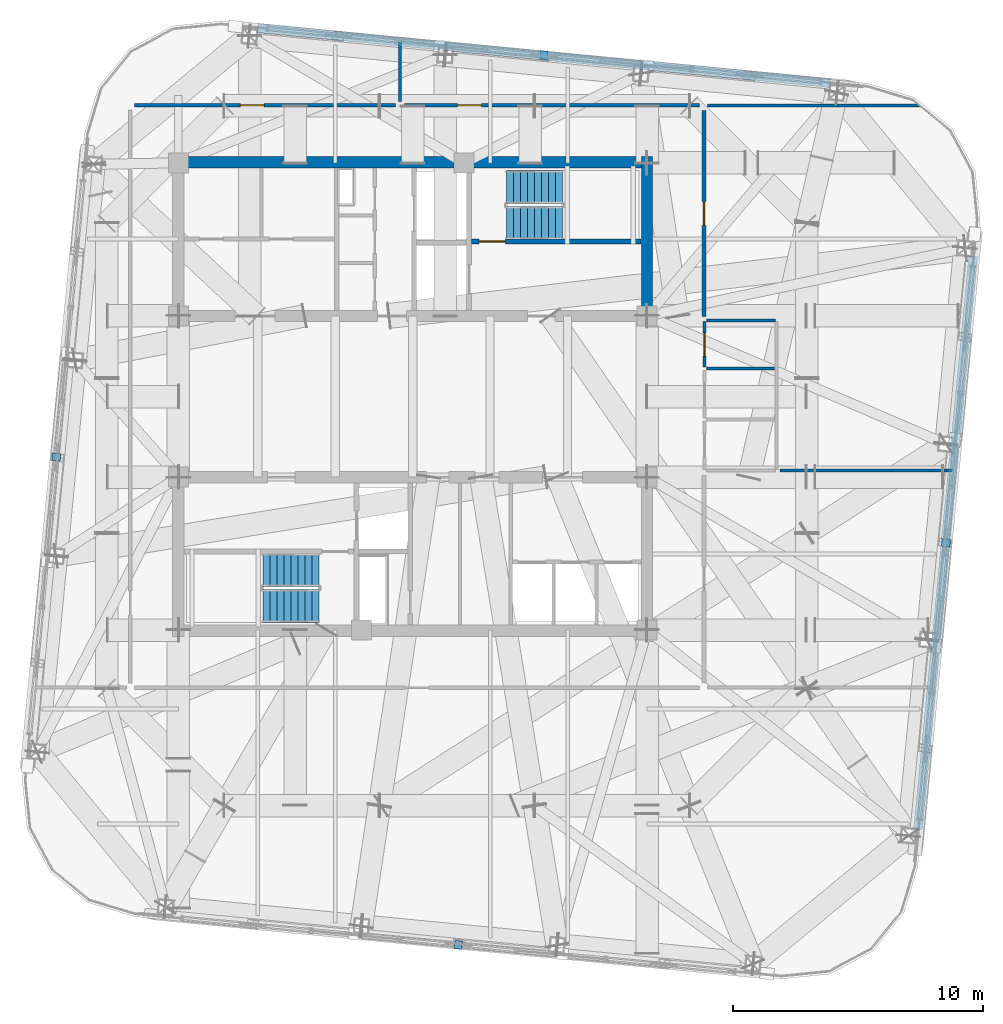
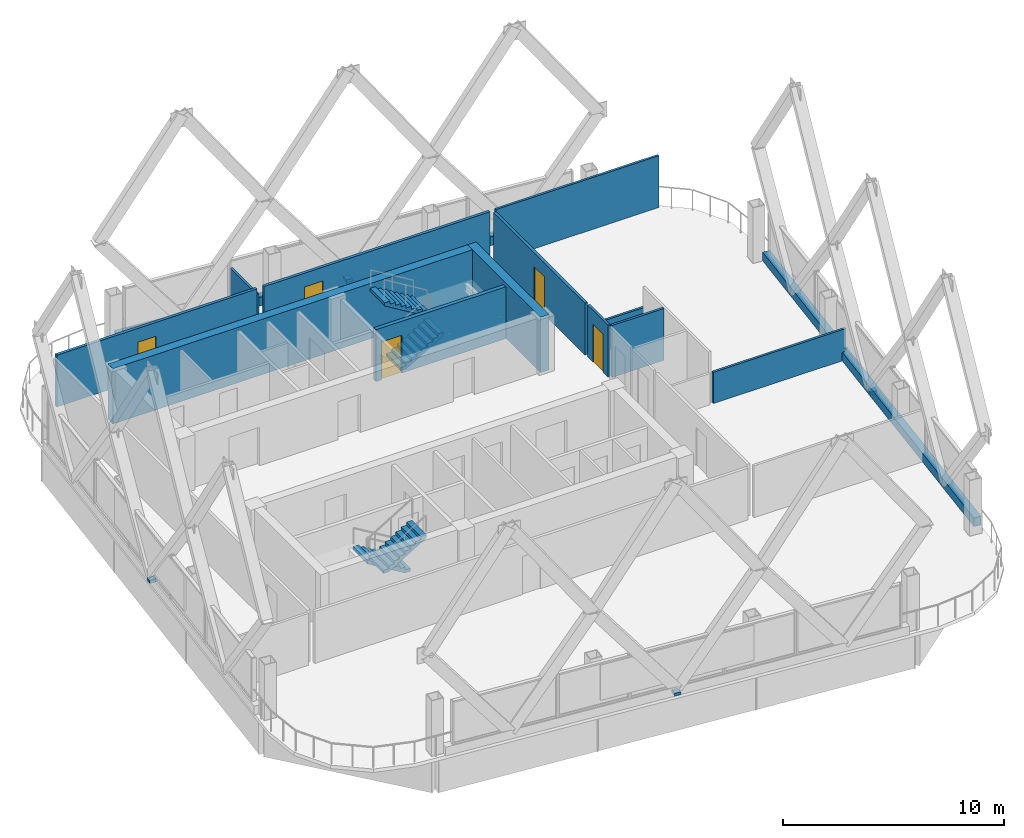
# One storey, part 27 of 31: 14 walls, 5 doors, 4 discrete accessories, 4 stair flights, 5 openings, 2 elements without a shape of their own.
"""IFC4 building model written with IfcOpenShell, lengths in metres."""

import ifcopenshell
import ifcopenshell.guid

model = None  # the IFC model being written
_history = None  # IfcOwnerHistory: only IFC2X3 demands one
_inside = {}  # id of a spatial element -> (the spatial element, [elements in it])
_under = {}  # id of a project, library or spatial element -> (it, [spatial elements below it])
_declared = {}  # id of a project -> (the project, [libraries it declares])
_typed = {}  # id of a type object -> (the type object, [elements of that type])
_made_of = {}  # id of a material, layer set ... -> (it, [elements and type objects made of it])


def new_model(schema):
    """Start an empty IFC model of exactly this schema.

    Asked for "IFC4X3", IfcOpenShell would pick the latest addendum, in which some entities
    have other attributes; the version numbers below select the first issue.
    IFC2X3 requires an IfcOwnerHistory on every rooted entity: one is made here for all.
    """
    global model, _history
    if schema == "IFC4X3":
        model = ifcopenshell.file(schema_version=(4, 3, 0, 0))
    else:
        model = ifcopenshell.file(schema=schema)
    _inside.clear()
    _under.clear()
    _declared.clear()
    _typed.clear()
    _made_of.clear()
    _history = None
    if model.schema == "IFC2X3":
        org = make("IfcOrganization", Name="unknown")
        user = make(
            "IfcPersonAndOrganization",
            ThePerson=make("IfcPerson", FamilyName="unknown"),
            TheOrganization=org,
        )
        app = make(
            "IfcApplication",
            ApplicationDeveloper=org,
            Version="unknown",
            ApplicationFullName="unknown",
            ApplicationIdentifier="unknown",
        )
        _history = make(
            "IfcOwnerHistory",
            OwningUser=user,
            OwningApplication=app,
            ChangeAction="ADDED",
            CreationDate=0,
        )
    return model


def make(cls, **values):
    """One entity of the class cls with the attributes given. An attribute that is None is left unset."""
    return model.create_entity(
        cls, **{name: value for name, value in values.items() if value is not None}
    )


def rooted(cls, **values):
    """An entity with a GlobalId (a new one), such as an element, a storey or a relation."""
    return make(cls, GlobalId=ifcopenshell.guid.new(), OwnerHistory=_history, **values)


def si_unit(unit_type, name, prefix=None):
    """IfcSIUnit, for example si_unit("LENGTHUNIT", "METRE", prefix="MILLI")."""
    return make("IfcSIUnit", UnitType=unit_type, Prefix=prefix, Name=name)


def assignment(units):
    """IfcUnitAssignment: the units of a project."""
    return None if units is None else make("IfcUnitAssignment", Units=units)


def point(xyz):
    """IfcCartesianPoint."""
    return None if xyz is None else make("IfcCartesianPoint", Coordinates=xyz)


def direction(xyz):
    """IfcDirection."""
    return None if xyz is None else make("IfcDirection", DirectionRatios=xyz)


def frame(location, z_axis=None, x_axis=None):
    """IfcAxis2Placement3D, a coordinate frame: its origin and axes. An axis left out is left unset."""
    return make(
        "IfcAxis2Placement3D",
        Location=point(location),
        Axis=direction(z_axis),
        RefDirection=direction(x_axis),
    )


def frame_2d(location, x_axis=None):
    """IfcAxis2Placement2D, a coordinate frame in the plane: its origin and x axis."""
    return make(
        "IfcAxis2Placement2D", Location=point(location), RefDirection=direction(x_axis)
    )


def origin():
    """The frame at (0, 0, 0) with its axes left unset."""
    return frame((0.0, 0.0, 0.0))


def origin_2d():
    """The frame at (0, 0) in the plane with its x axis left unset."""
    return frame_2d((0.0, 0.0))


def place(relative_to, where):
    """IfcLocalPlacement: puts the frame where relative to a parent placement (None: the world)."""
    return make(
        "IfcLocalPlacement", PlacementRelTo=relative_to, RelativePlacement=where
    )


def context(
    kind, dimensions, precision=None, world=None, true_north=None, identifier=None
):
    """IfcGeometricRepresentationContext, for example the 3D "Model" context."""
    return make(
        "IfcGeometricRepresentationContext",
        ContextIdentifier=identifier,
        ContextType=kind,
        CoordinateSpaceDimension=dimensions,
        Precision=precision,
        WorldCoordinateSystem=world,
        TrueNorth=true_north,
    )


def subcontext(parent, identifier, kind, view, scale=None):
    """IfcGeometricRepresentationSubContext, for example "Body" below "Model"."""
    return make(
        "IfcGeometricRepresentationSubContext",
        ContextIdentifier=identifier,
        ContextType=kind,
        ParentContext=parent,
        TargetScale=scale,
        TargetView=view,
    )


def project(units=None, contexts=None):
    """IfcProject with its units and contexts."""
    return rooted(
        "IfcProject",
        Name="project",
        RepresentationContexts=contexts,
        UnitsInContext=assignment(units),
    )


def spatial(cls, under=None, at=None, **own):
    """A site, building, storey or space (cls), placed at a placement, below another one or the project."""
    s = rooted(cls, ObjectPlacement=at, **own)
    if under is not None:
        _under.setdefault(under.id(), (under, []))[1].append(s)
    return s


def polyline(points):
    """IfcPolyline through the points."""
    return make("IfcPolyline", Points=[point(p) for p in points])


def profile(cls, at=None, kind="AREA", **sizes):
    """A parametric profile (cls). Its sizes go by their IFC names, for example OverallWidth=200.0."""
    return make(cls, ProfileType=kind, Position=at, **sizes)


def rectangle(**sizes):
    """IfcRectangleProfileDef."""
    return profile("IfcRectangleProfileDef", **sizes)


def outline(outer, holes=None, kind="AREA"):
    """IfcArbitraryClosedProfileDef: a profile drawn as a closed curve; with holes, ...WithVoids."""
    if holes is None:
        return make("IfcArbitraryClosedProfileDef", ProfileType=kind, OuterCurve=outer)
    return make(
        "IfcArbitraryProfileDefWithVoids",
        ProfileType=kind,
        OuterCurve=outer,
        InnerCurves=holes,
    )


def extrude(swept, where, along, depth):
    """IfcExtrudedAreaSolid: the profile swept, set in the frame where, extruded along a direction by depth."""
    return make(
        "IfcExtrudedAreaSolid",
        SweptArea=swept,
        Position=where,
        ExtrudedDirection=direction(along),
        Depth=depth,
    )


def shape(context_of_items, identifier, shape_type, items):
    """IfcShapeRepresentation: the items that make up one representation, for example the "Body"."""
    return make(
        "IfcShapeRepresentation",
        ContextOfItems=context_of_items,
        RepresentationIdentifier=identifier,
        RepresentationType=shape_type,
        Items=items,
    )


def material(Name=None, Category=None):
    """IfcMaterial."""
    return make("IfcMaterial", Name=Name, Category=Category)


def layer(
    of_material, thickness, ventilated=None, Name=None, Category=None, Priority=None
):
    """IfcMaterialLayer: one layer of a wall or slab, of a material (None: an air gap)."""
    return make(
        "IfcMaterialLayer",
        Material=of_material,
        LayerThickness=thickness,
        IsVentilated=ventilated,
        Name=Name,
        Category=Category,
        Priority=Priority,
    )


def layer_set(layers, Name=None):
    """IfcMaterialLayerSet."""
    return make("IfcMaterialLayerSet", MaterialLayers=layers, LayerSetName=Name)


def made_of(thing, what):
    """Note that an element or type object is made of a material, layer set ...; save() writes the relation."""
    if what is not None:
        _made_of.setdefault(what.id(), (what, []))[1].append(thing)
    return thing


def type_object(cls, material=None, **own):
    """A type object (cls), such as IfcWallType, which elements share."""
    return made_of(rooted(cls, **own), material)


def element(
    cls,
    number,
    at=None,
    inside=None,
    cuts=None,
    type_object=None,
    material=None,
    context=None,
    identifier="Body",
    shape_type=None,
    held_by="IfcProductDefinitionShape",
    body=None,
    shapes=None,
    **own,
):
    """One element of the class cls, such as IfcWall. Its Tag is "e" and its number.

    at: its placement. inside: the storey or other place that contains it. cuts: it is an
    opening in that element (IfcRelVoidsElement). A single representation is given by context,
    identifier, shape_type and body (its items); several are given by shapes. held_by: the class
    of the entity that holds the representations. save() writes the other relations.
    """
    e = rooted(cls, Tag="e%d" % number, ObjectPlacement=at, **own)
    if body is not None:
        shapes = [shape(context, identifier, shape_type, body)]
    if shapes is not None:
        e.Representation = make(held_by, Representations=shapes)
    if inside is not None:
        _inside.setdefault(inside.id(), (inside, []))[1].append(e)
    if cuts is not None:
        rooted(
            "IfcRelVoidsElement", RelatingBuildingElement=cuts, RelatedOpeningElement=e
        )
    if type_object is not None:
        _typed.setdefault(type_object.id(), (type_object, []))[1].append(e)
    return made_of(e, material)


def fill(opening, filler):
    """IfcRelFillsElement: the door or window that sits in an opening."""
    return rooted(
        "IfcRelFillsElement",
        RelatingOpeningElement=opening,
        RelatedBuildingElement=filler,
    )


def aggregate(whole, parts):
    """IfcRelAggregates: a whole, such as a stair, and the parts it consists of."""
    return rooted("IfcRelAggregates", RelatingObject=whole, RelatedObjects=parts)


def save(model, path):
    """Write the relations noted so far, then the file.

    IfcRelAggregates (storeys below a building ...), IfcRelContainedInSpatialStructure (elements
    in a storey), IfcRelDefinesByType, IfcRelAssociatesMaterial and IfcRelDeclares: one each for
    every whole, place, type object, material and project.
    """
    for whole, parts in _under.values():
        aggregate(whole, parts)
    for where, things in _inside.values():
        rooted(
            "IfcRelContainedInSpatialStructure",
            RelatedElements=things,
            RelatingStructure=where,
        )
    for kind, things in _typed.values():
        rooted("IfcRelDefinesByType", RelatedObjects=things, RelatingType=kind)
    for what, things in _made_of.values():
        rooted("IfcRelAssociatesMaterial", RelatedObjects=things, RelatingMaterial=what)
    for by, libraries in _declared.values():
        rooted("IfcRelDeclares", RelatingContext=by, RelatedDefinitions=libraries)
    model.write(path)


model = new_model("IFC4")

# Units and contexts
model_context = context("Model", 3, precision=1e-05, world=origin(), true_north=direction((0.0, 1.0)))
body_context = subcontext(model_context, "Body", "Model", "MODEL_VIEW")
ifc_project = project(units=[si_unit("LENGTHUNIT", "METRE"), si_unit("AREAUNIT", "SQUARE_METRE"), si_unit("VOLUMEUNIT", "CUBIC_METRE"), si_unit("PLANEANGLEUNIT", "RADIAN"), si_unit("MASSUNIT", "GRAM", prefix="KILO")], contexts=[model_context])

# Site, building, storey
site_placement = place(None, origin())
site = spatial("IfcSite", under=ifc_project, at=site_placement, CompositionType="ELEMENT")
building_placement = place(site_placement, origin())
building = spatial("IfcBuilding", under=site, at=building_placement, Name="Qhalaya Broadcast Tower", CompositionType="ELEMENT")
storey_placement = place(building_placement, frame((0.0, 0.0, 242.85009765625)))
storey = spatial("IfcBuildingStorey", under=building, at=storey_placement, Name="L71", CompositionType="ELEMENT", Elevation=242.85009765625)

# Wall, opening, door
ifc_material_1 = material(Name="Gypsum Acoustic Partition")
ifc_layer_1 = layer(ifc_material_1, 0.14990234375, Name="Gypsum Acoustic Partition")
ifc_layer_set_1 = layer_set([ifc_layer_1], Name="Gypsum Acoustic Partition")
wall_type_1 = type_object("IfcWallType", Name="Corridor & Tenancy Acoustic Partition 150", PredefinedType="PARTITIONING", material=ifc_layer_set_1)
wall_1_placement = place(storey_placement, frame((-11.1201171875, 12.25, 0.0), z_axis=(0.0, 0.0, 1.0), x_axis=(1.0, 0.0, 0.0)))
wall_1 = element("IfcWall", 1, at=wall_1_placement, inside=storey, type_object=wall_type_1, Name="L71 Partition Wall W-COR-01", PredefinedType="PARTITIONING", context=body_context, shape_type="SweptSolid", body=[
    extrude(rectangle(XDim=10.440185546875, YDim=0.14990234375, at=frame_2d((5.22021484375, 0.0))), origin(), (0.0, 0.0, 1.0), 2.85986328125),
])
opening_1_placement = place(wall_1_placement, frame((4.221923828125, 0.0, 0.0)))
opening_1 = element("IfcOpeningElement", 2, at=opening_1_placement, cuts=wall_1, Name="Opening D10", PredefinedType="OPENING", context=body_context, shape_type="SweptSolid", body=[
    extrude(rectangle(XDim=0.949951171875, YDim=2.10009765625, at=frame_2d((0.47509765625, 1.050048828125))), frame((0.0, 0.0869140625, 0.0), z_axis=(0.0, -1.0, 0.0), x_axis=(1.0, 0.0, 0.0)), (0.0, 0.0, 1.0), 0.173828125),
])
ifc_material_2 = material(Name="Timber Veneer Acoustic Door", Category="wood")
door_type_1 = type_object("IfcDoorType", Name="Cellular Office & Edit Booth Door D10", OperationType="NOTDEFINED", PredefinedType="DOOR", material=ifc_material_2)
door_1_placement = place(opening_1_placement, origin())
door_1 = element("IfcDoor", 3, at=door_1_placement, inside=storey, type_object=door_type_1, Name="L71 Door D-RM01", OperationType="SINGLE_SWING_LEFT", OverallHeight=2.10009765625, OverallWidth=0.949951171875, PredefinedType="DOOR", context=body_context, shape_type="SweptSolid", body=[
    extrude(rectangle(XDim=0.949951171875, YDim=2.10009765625, at=frame_2d((0.47509765625, 1.050048828125))), frame((0.0, 0.02490234375, 0.0), z_axis=(0.0, -1.0, 0.0), x_axis=(1.0, 0.0, 0.0)), (0.0, 0.0, 1.0), 0.050048828125),
])
fill(opening_1, door_1)

wall_2_placement = place(storey_placement, frame((-0.320068359375, 12.25, 0.0), z_axis=(0.0, 0.0, 1.0), x_axis=(1.0, 0.0, 0.0)))
wall_2 = element("IfcWall", 4, at=wall_2_placement, inside=storey, type_object=wall_type_1, Name="L71 Partition Wall W-COR-02", PredefinedType="PARTITIONING", context=body_context, shape_type="SweptSolid", body=[
    extrude(rectangle(XDim=11.7900390625, YDim=0.14990234375, at=frame_2d((5.89501953125, 0.0))), origin(), (0.0, 0.0, 1.0), 2.85986328125),
])
opening_2_placement = place(wall_2_placement, frame((2.118896484375, 0.0, 0.0)))
opening_2 = element("IfcOpeningElement", 5, at=opening_2_placement, cuts=wall_2, Name="Opening D10", PredefinedType="OPENING", context=body_context, shape_type="SweptSolid", body=[
    extrude(rectangle(XDim=0.949951171875, YDim=2.10009765625, at=frame_2d((0.47509765625, 1.050048828125))), frame((0.0, 0.0869140625, 0.0), z_axis=(0.0, -1.0, 0.0), x_axis=(1.0, 0.0, 0.0)), (0.0, 0.0, 1.0), 0.173828125),
])
door_2_placement = place(opening_2_placement, origin())
door_2 = element("IfcDoor", 6, at=door_2_placement, inside=storey, type_object=door_type_1, Name="L71 Door D-RM02", OperationType="SINGLE_SWING_RIGHT", OverallHeight=2.10009765625, OverallWidth=0.949951171875, PredefinedType="DOOR", context=body_context, shape_type="SweptSolid", body=[
    extrude(rectangle(XDim=0.949951171875, YDim=2.10009765625, at=frame_2d((0.47509765625, 1.050048828125))), frame((0.0, 0.02490234375, 0.0), z_axis=(0.0, -1.0, 0.0), x_axis=(1.0, 0.0, 0.0)), (0.0, 0.0, 1.0), 0.050048828125),
])
fill(opening_2, door_2)

wall_3_placement = place(storey_placement, frame((11.64990234375, 3.800048828125, 0.0), z_axis=(0.0, 0.0, 1.0), x_axis=(0.0, 1.0, 0.0)))
wall_3 = element("IfcWall", 7, at=wall_3_placement, inside=storey, type_object=wall_type_1, Name="L71 Partition Wall W-COR-06", PredefinedType="PARTITIONING", context=body_context, shape_type="SweptSolid", body=[
    extrude(rectangle(XDim=8.25, YDim=0.14990234375, at=frame_2d((4.125, 0.0))), origin(), (0.0, 0.0, 1.0), 2.85986328125),
])
opening_3_placement = place(wall_3_placement, frame((3.64990234375, 0.0, 0.0)))
opening_3 = element("IfcOpeningElement", 8, at=opening_3_placement, cuts=wall_3, Name="Opening D10", PredefinedType="OPENING", context=body_context, shape_type="SweptSolid", body=[
    extrude(rectangle(XDim=0.949951171875, YDim=2.10009765625, at=frame_2d((0.47509765625, 1.050048828125))), frame((0.0, 0.0869140625, 0.0), z_axis=(0.0, -1.0, 0.0), x_axis=(1.0, 0.0, 0.0)), (0.0, 0.0, 1.0), 0.173828125),
])
door_3_placement = place(opening_3_placement, origin())
door_3 = element("IfcDoor", 9, at=door_3_placement, inside=storey, type_object=door_type_1, Name="L71 Door D-RM06", OperationType="SINGLE_SWING_RIGHT", OverallHeight=2.10009765625, OverallWidth=0.949951171875, PredefinedType="DOOR", context=body_context, shape_type="SweptSolid", body=[
    extrude(rectangle(XDim=0.949951171875, YDim=2.10009765625, at=frame_2d((0.47509765625, 1.050048828125))), frame((0.0, 0.02490234375, 0.0), z_axis=(0.0, -1.0, 0.0), x_axis=(1.0, 0.0, 0.0)), (0.0, 0.0, 1.0), 0.050048828125),
])
fill(opening_3, door_3)

# Walls
ifc_material_3 = material(Name="Precast Concrete C40/50", Category="concrete")
ifc_layer_2 = layer(ifc_material_3, 0.360107421875, Name="Precast Concrete C40/50")
ifc_layer_set_2 = layer_set([ifc_layer_2], Name="Precast Concrete C40/50")
wall_type_2 = type_object("IfcWallType", Name="Insulated Precast Terracotta Exterior Wall 360", PredefinedType="SOLIDWALL", material=ifc_layer_set_2)
for number, where, z_axis, x_axis, name in (
    (10, (22.421142578125, 6.207275390625, 0.0), (0.0, 0.0, 1.0), (-0.095847375411, -0.995396042099, 0.0), "L71 Cantilever Block Sill Spandrel E"),
    (11, (-6.207275390625, 15.34130859375, 0.0), (0.0, 0.0, 1.0), (0.995396042099, -0.095847375411, 0.0), "L71 Cantilever Block Sill Spandrel N"),
):
    element("IfcWall", number, at=place(storey_placement, frame(where, z_axis=z_axis, x_axis=x_axis)), inside=storey, type_object=wall_type_2, Name=name, PredefinedType="SOLIDWALL", context=body_context, shape_type="SweptSolid", body=[
        extrude(rectangle(XDim=23.02392578125, YDim=0.360107421875, at=frame_2d((11.511962890625, 0.0))), origin(), (0.0, 0.0, 1.0), 0.47998046875),
    ])

# Wall, opening, door
ifc_material_4 = material(Name="Concrete C50/60", Category="concrete")
ifc_layer_3 = layer(ifc_material_4, 0.199951171875, Name="Concrete C50/60")
ifc_layer_set_3 = layer_set([ifc_layer_3], Name="Concrete C50/60")
wall_type_3 = type_object("IfcWallType", Name="Load-Bearing Stair Shaft Wall 200", PredefinedType="SHEAR", material=ifc_layer_set_3)
wall_4_placement = place(storey_placement, frame((2.360107421875, 6.804931640625, 0.0), z_axis=(0.0, 0.0, 1.0), x_axis=(1.0, 0.0, 0.0)))
wall_4 = element("IfcWall", 12, at=wall_4_placement, inside=storey, type_object=wall_type_3, Name="L71 Stair Core Shear Wall NCW-ST1", PredefinedType="SHEAR", context=body_context, shape_type="SweptSolid", body=[
    extrude(rectangle(XDim=6.769775390625, YDim=0.199951171875, at=frame_2d((3.384765625, 0.0))), origin(), (0.0, 0.0, 1.0), 2.85986328125),
])
opening_4_placement = place(wall_4_placement, frame((0.300048828125, 0.0, 0.0)))
opening_4 = element("IfcOpeningElement", 13, at=opening_4_placement, cuts=wall_4, Name="Opening D03", PredefinedType="OPENING", context=body_context, shape_type="SweptSolid", body=[
    extrude(rectangle(XDim=1.050048828125, YDim=2.080078125, at=frame_2d((0.52490234375, 1.0400390625))), frame((0.0, 0.112060546875, 0.0), z_axis=(0.0, -1.0, 0.0), x_axis=(1.0, 0.0, 0.0)), (0.0, 0.0, 1.0), 0.223876953125),
])
ifc_material_5 = material(Name="Fire-Rated Steel Door", Category="steel")
door_type_2 = type_object("IfcDoorType", Name="Core Stair Protected Fire Door D03", OperationType="NOTDEFINED", PredefinedType="DOOR", material=ifc_material_5)
door_4_placement = place(opening_4_placement, origin())
door_4 = element("IfcDoor", 14, at=door_4_placement, inside=storey, type_object=door_type_2, Name="L71 Door D-NST1", OperationType="SINGLE_SWING_LEFT", OverallHeight=2.080078125, OverallWidth=1.050048828125, PredefinedType="DOOR", context=body_context, shape_type="SweptSolid", body=[
    extrude(rectangle(XDim=1.050048828125, YDim=2.080078125, at=frame_2d((0.52490234375, 1.0400390625))), frame((0.0, 0.02490234375, 0.0), z_axis=(0.0, -1.0, 0.0), x_axis=(1.0, 0.0, 0.0)), (0.0, 0.0, 1.0), 0.050048828125),
])
fill(opening_4, door_4)

ifc_layer_4 = layer(ifc_material_1, 0.1201171875, Name="Gypsum Acoustic Partition")
ifc_layer_set_4 = layer_set([ifc_layer_4], Name="Gypsum Acoustic Partition")
wall_type_4 = type_object("IfcWallType", Name="Office, Booth & Sanitary Partition 120", PredefinedType="PARTITIONING", material=ifc_layer_set_4)
wall_5_placement = place(storey_placement, frame((11.669921875, 1.780029296875, 0.0), z_axis=(0.0, 0.0, 1.0), x_axis=(0.0, 1.0, 0.0)))
wall_5 = element("IfcWall", 15, at=wall_5_placement, inside=storey, type_object=wall_type_4, Name="L71 Partition Wall W-WCWF", PredefinedType="PARTITIONING", context=body_context, shape_type="SweptSolid", body=[
    extrude(rectangle(XDim=1.830078125, YDim=0.1201171875, at=frame_2d((0.9150390625, 0.0))), origin(), (0.0, 0.0, 1.0), 2.85986328125),
])
opening_5_placement = place(wall_5_placement, frame((0.43994140625, 0.0, 0.0)))
opening_5 = element("IfcOpeningElement", 16, at=opening_5_placement, cuts=wall_5, Name="Opening D12", PredefinedType="OPENING", context=body_context, shape_type="SweptSolid", body=[
    extrude(rectangle(XDim=0.919921875, YDim=2.10009765625, at=frame_2d((0.4599609375, 1.050048828125))), frame((0.0, 0.072021484375, 0.0), z_axis=(0.0, -1.0, 0.0), x_axis=(1.0, 0.0, 0.0)), (0.0, 0.0, 1.0), 0.14404296875),
])
door_type_3 = type_object("IfcDoorType", Name="Accessible WC & Restroom Door D12", OperationType="NOTDEFINED", PredefinedType="DOOR", material=ifc_material_2)
door_5_placement = place(opening_5_placement, origin())
door_5 = element("IfcDoor", 17, at=door_5_placement, inside=storey, type_object=door_type_3, Name="L71 Door D-WCF", OperationType="SINGLE_SWING_LEFT", OverallHeight=2.10009765625, OverallWidth=0.919921875, PredefinedType="DOOR", context=body_context, shape_type="SweptSolid", body=[
    extrude(rectangle(XDim=0.919921875, YDim=2.10009765625, at=frame_2d((0.4599609375, 1.050048828125))), frame((0.0, 0.02490234375, 0.0), z_axis=(0.0, -1.0, 0.0), x_axis=(1.0, 0.0, 0.0)), (0.0, 0.0, 1.0), 0.050048828125),
])
fill(opening_5, door_5)

# Walls
wall_6_placement = place(storey_placement, frame((11.760009765625, 3.639892578125, 0.0), z_axis=(0.0, 0.0, 1.0), x_axis=(1.0, 0.0, 0.0)))
element("IfcWall", 18, at=wall_6_placement, inside=storey, type_object=wall_type_4, Name="L71 Partition Wall W-WCN", PredefinedType="PARTITIONING", context=body_context, shape_type="SweptSolid", body=[
    extrude(rectangle(XDim=2.760009765625, YDim=0.1201171875, at=frame_2d((1.3798828125, 0.0))), origin(), (0.0, 0.0, 1.0), 1.721923828125),
])
wall_7_placement = place(storey_placement, frame((11.760009765625, 1.719970703125, 0.0), z_axis=(0.0, 0.0, 1.0), x_axis=(1.0, 0.0, 0.0)))
element("IfcWall", 19, at=wall_7_placement, inside=storey, type_object=wall_type_4, Name="L71 Partition Wall W-WCD2", PredefinedType="PARTITIONING", context=body_context, shape_type="SweptSolid", body=[
    extrude(rectangle(XDim=2.719970703125, YDim=0.1201171875, at=frame_2d((1.35986328125, 0.0))), origin(), (0.0, 0.0, 1.0), 2.85986328125),
])
wall_8_placement = place(storey_placement, frame((11.7900390625, 12.25, 0.0), z_axis=(0.0, 0.0, 1.0), x_axis=(1.0, 0.0, 0.0)))
element("IfcWall", 20, at=wall_8_placement, inside=storey, type_object=wall_type_4, Name="L71 Partition Wall W-BNDE1", PredefinedType="PARTITIONING", context=body_context, shape_type="SweptSolid", body=[
    extrude(rectangle(XDim=8.484130859375, YDim=0.1201171875, at=frame_2d((4.2421875, 0.0))), origin(), (0.0, 0.0, 1.0), 2.85986328125),
])
wall_9_placement = place(storey_placement, frame((-0.5, 12.409912109375, 0.0), z_axis=(0.0, 0.0, 1.0), x_axis=(0.0, 1.0, 0.0)))
element("IfcWall", 21, at=wall_9_placement, inside=storey, type_object=wall_type_4, Name="L71 Partition Wall W-DIVN1", PredefinedType="PARTITIONING", context=body_context, shape_type="SweptSolid", body=[
    extrude(rectangle(XDim=2.40185546875, YDim=0.1201171875, at=frame_2d((1.200927734375, 0.0))), origin(), (0.0, 0.0, 1.0), 2.380859375),
])
wall_10_placement = place(storey_placement, frame((14.68994140625, -2.35009765625, 0.0), z_axis=(0.0, 0.0, 1.0), x_axis=(1.0, 0.0, 0.0)))
element("IfcWall", 22, at=wall_10_placement, inside=storey, type_object=wall_type_4, Name="L71 Partition Wall W-DIVE-WC", PredefinedType="PARTITIONING", context=body_context, shape_type="SweptSolid", body=[
    extrude(rectangle(XDim=6.92724609375, YDim=0.1201171875, at=frame_2d((3.463623046875, 0.0))), origin(), (0.0, 0.0, 1.0), 1.721923828125),
])
ifc_layer_5 = layer(ifc_material_4, 0.449951171875, Name="Concrete C50/60")
ifc_layer_set_5 = layer_set([ifc_layer_5], Name="Concrete C50/60")
wall_type_5 = type_object("IfcWallType", Name="Upper Split-Core Shear Wall 450", PredefinedType="SHEAR", material=ifc_layer_set_5)
wall_11_placement = place(storey_placement, frame((-9.60009765625, 9.97509765625, 0.0), z_axis=(0.0, 0.0, 1.0), x_axis=(1.0, 0.0, 0.0)))
element("IfcWall", 23, at=wall_11_placement, inside=storey, type_object=wall_type_5, Name="L71 Split-Core Shear Wall CW-NN", PredefinedType="SHEAR", context=body_context, shape_type="SweptSolid", body=[
    extrude(rectangle(XDim=19.2001953125, YDim=0.449951171875, at=frame_2d((9.60009765625, 0.0))), origin(), (0.0, 0.0, 1.0), 3.0498046875),
])
wall_12_placement = place(storey_placement, frame((9.375, 3.60009765625, 0.0), z_axis=(0.0, 0.0, 1.0), x_axis=(0.0, 1.0, 0.0)))
element("IfcWall", 24, at=wall_12_placement, inside=storey, type_object=wall_type_5, Name="L71 Split-Core Shear Wall CW-NE", PredefinedType="SHEAR", context=body_context, shape_type="SweptSolid", body=[
    extrude(rectangle(XDim=6.599853515625, YDim=0.449951171875, at=frame_2d((3.2998046875, 0.0))), origin(), (0.0, 0.0, 1.0), 3.0498046875),
])

# Stair, stair flights
ifc_material_6 = material(Name="Concrete C40/50", Category="concrete")
stair_type = type_object("IfcStairType", Name="Protected Dogleg Core Stair 3150", PredefinedType="TWO_STRAIGHT_RUN_STAIR", material=ifc_material_6)
stair_1_placement = place(storey_placement, origin())
stair_1 = element("IfcStair", 25, at=stair_1_placement, inside=storey, type_object=stair_type, Name="L71 North Core Exit Stair ST-1", PredefinedType="TWO_STRAIGHT_RUN_STAIR")
stair_flight_type = type_object("IfcStairFlightType", Name="Precast Concrete Stair Flight 3150", PredefinedType="STRAIGHT", material=ifc_material_3)
stair_flight_1_placement = place(storey_placement, frame((3.75, 7.5400390625, 0.0), z_axis=(0.0, 0.0, 1.0), x_axis=(1.0, 0.0, 0.0)))
stair_flight_1 = element("IfcStairFlight", 26, at=stair_flight_1_placement, type_object=stair_flight_type, Name="ST-1 flight 1", NumberOfRisers=9, NumberOfTreads=8, PredefinedType="STRAIGHT", RiserHeight=0.169444444, TreadLength=0.28, context=body_context, shape_type="SweptSolid", body=[
    extrude(outline(polyline([(0.0, 0.0), (0.0, 0.16943359375), (0.280029296875, 0.16943359375), (0.280029296875, 0.3388671875), (0.56005859375, 0.3388671875), (0.56005859375, 0.50830078125), (0.840087890625, 0.50830078125), (0.840087890625, 0.677734375), (1.1201171875, 0.677734375), (1.1201171875, 0.84716796875), (1.39990234375, 0.84716796875), (1.39990234375, 1.0166015625), (1.679931640625, 1.0166015625), (1.679931640625, 1.18603515625), (1.9599609375, 1.18603515625), (1.9599609375, 1.35546875), (2.239990234375, 1.35546875), (2.239990234375, 1.52490234375), (2.239990234375, 1.180419921875), (0.28955078125, 0.0), (0.0, 0.0)])), frame((0.0, 0.66015625, 0.0), z_axis=(0.0, -1.0, 0.0), x_axis=(1.0, 0.0, 0.0)), (0.0, 0.0, 1.0), 1.320068359375),
])
stair_flight_2_placement = place(storey_placement, frame((5.989990234375, 8.97998046875, 1.52490234375), z_axis=(0.0, 0.0, 1.0), x_axis=(-1.0, 0.0, 0.0)))
stair_flight_2 = element("IfcStairFlight", 27, at=stair_flight_2_placement, type_object=stair_flight_type, Name="ST-1 flight 2", NumberOfRisers=9, NumberOfTreads=8, PredefinedType="STRAIGHT", RiserHeight=0.169444444, TreadLength=0.28, context=body_context, shape_type="SweptSolid", body=[
    extrude(outline(polyline([(0.0, 0.0), (0.0, 0.16943359375), (0.280029296875, 0.16943359375), (0.280029296875, 0.3388671875), (0.56005859375, 0.3388671875), (0.56005859375, 0.50830078125), (0.840087890625, 0.50830078125), (0.840087890625, 0.677734375), (1.1201171875, 0.677734375), (1.1201171875, 0.84716796875), (1.39990234375, 0.84716796875), (1.39990234375, 1.0166015625), (1.679931640625, 1.0166015625), (1.679931640625, 1.18603515625), (1.9599609375, 1.18603515625), (1.9599609375, 1.35546875), (2.239990234375, 1.35546875), (2.239990234375, 1.52490234375), (2.239990234375, 1.180419921875), (0.28955078125, 0.0), (0.0, 0.0)])), frame((0.0, 0.66015625, 0.0), z_axis=(0.0, -1.0, 0.0), x_axis=(1.0, 0.0, 0.0)), (0.0, 0.0, 1.0), 1.320068359375),
])
aggregate(stair_1, [stair_flight_1, stair_flight_2])

stair_2_placement = place(storey_placement, origin())
stair_2 = element("IfcStair", 28, at=stair_2_placement, inside=storey, type_object=stair_type, Name="L71 South Core Exit Stair ST-2", PredefinedType="TWO_STRAIGHT_RUN_STAIR")
stair_flight_3_placement = place(storey_placement, frame((-3.75, -6.340087890625, 0.0), z_axis=(0.0, 0.0, 1.0), x_axis=(-1.0, 0.0, 0.0)))
stair_flight_3 = element("IfcStairFlight", 29, at=stair_flight_3_placement, type_object=stair_flight_type, Name="ST-2 flight 1", NumberOfRisers=9, NumberOfTreads=8, PredefinedType="STRAIGHT", RiserHeight=0.169444444, TreadLength=0.28, context=body_context, shape_type="SweptSolid", body=[
    extrude(outline(polyline([(0.0, 0.0), (0.0, 0.16943359375), (0.280029296875, 0.16943359375), (0.280029296875, 0.3388671875), (0.56005859375, 0.3388671875), (0.56005859375, 0.50830078125), (0.840087890625, 0.50830078125), (0.840087890625, 0.677734375), (1.1201171875, 0.677734375), (1.1201171875, 0.84716796875), (1.39990234375, 0.84716796875), (1.39990234375, 1.0166015625), (1.679931640625, 1.0166015625), (1.679931640625, 1.18603515625), (1.9599609375, 1.18603515625), (1.9599609375, 1.35546875), (2.239990234375, 1.35546875), (2.239990234375, 1.52490234375), (2.239990234375, 1.180419921875), (0.28955078125, 0.0), (0.0, 0.0)])), frame((0.0, 0.66015625, 0.0), z_axis=(0.0, -1.0, 0.0), x_axis=(1.0, 0.0, 0.0)), (0.0, 0.0, 1.0), 1.320068359375),
])
stair_flight_4_placement = place(storey_placement, frame((-5.989990234375, -7.780029296875, 1.52490234375), z_axis=(0.0, 0.0, 1.0), x_axis=(1.0, 0.0, 0.0)))
stair_flight_4 = element("IfcStairFlight", 30, at=stair_flight_4_placement, type_object=stair_flight_type, Name="ST-2 flight 2", NumberOfRisers=9, NumberOfTreads=8, PredefinedType="STRAIGHT", RiserHeight=0.169444444, TreadLength=0.28, context=body_context, shape_type="SweptSolid", body=[
    extrude(outline(polyline([(0.0, 0.0), (0.0, 0.16943359375), (0.280029296875, 0.16943359375), (0.280029296875, 0.3388671875), (0.56005859375, 0.3388671875), (0.56005859375, 0.50830078125), (0.840087890625, 0.50830078125), (0.840087890625, 0.677734375), (1.1201171875, 0.677734375), (1.1201171875, 0.84716796875), (1.39990234375, 0.84716796875), (1.39990234375, 1.0166015625), (1.679931640625, 1.0166015625), (1.679931640625, 1.18603515625), (1.9599609375, 1.18603515625), (1.9599609375, 1.35546875), (2.239990234375, 1.35546875), (2.239990234375, 1.52490234375), (2.239990234375, 1.180419921875), (0.28955078125, 0.0), (0.0, 0.0)])), frame((0.0, 0.66015625, 0.0), z_axis=(0.0, -1.0, 0.0), x_axis=(1.0, 0.0, 0.0)), (0.0, 0.0, 1.0), 1.320068359375),
])
aggregate(stair_2, [stair_flight_3, stair_flight_4])

# Discrete accessories
ifc_material_7 = material(Name="Structural Steel ASTM A572 Grade 50", Category="steel")
discrete_accessory_type = type_object("IfcDiscreteAccessoryType", Name="Facade Baguette Support Bracket BRK-01", PredefinedType="BRACKET", material=ifc_material_7)
for number, where, z_axis, x_axis, name in (
    (31, (1.826171875, -21.337646484375, 0.0), (0.0, 0.0, 1.0), (0.995396198367, -0.09584575252, 0.0), "L71 Baguette Support Bracket S"),
    (32, (21.337646484375, -5.25390625, 0.0), (0.0, 0.0, 1.0), (0.09584575252, 0.995396198367, 0.0), "L71 Baguette Support Bracket E"),
    (33, (5.25390625, 14.2578125, 0.0), (0.0, 0.0, 1.0), (-0.995396198367, 0.09584575252, 0.0), "L71 Baguette Support Bracket N"),
    (34, (-14.2578125, -1.826171875, 0.0), (0.0, 0.0, 1.0), (-0.09584575252, -0.995396198367, 0.0), "L71 Baguette Support Bracket W"),
):
    element("IfcDiscreteAccessory", number, at=place(storey_placement, frame(where, z_axis=z_axis, x_axis=x_axis)), inside=storey, type_object=discrete_accessory_type, Name=name, PredefinedType="BRACKET", context=body_context, shape_type="SweptSolid", body=[
        extrude(rectangle(XDim=0.300048828125, YDim=0.340087890625, at=origin_2d()), origin(), (0.0, 0.0, 1.0), 0.159912109375),
    ])

save(model, "model.ifc")
